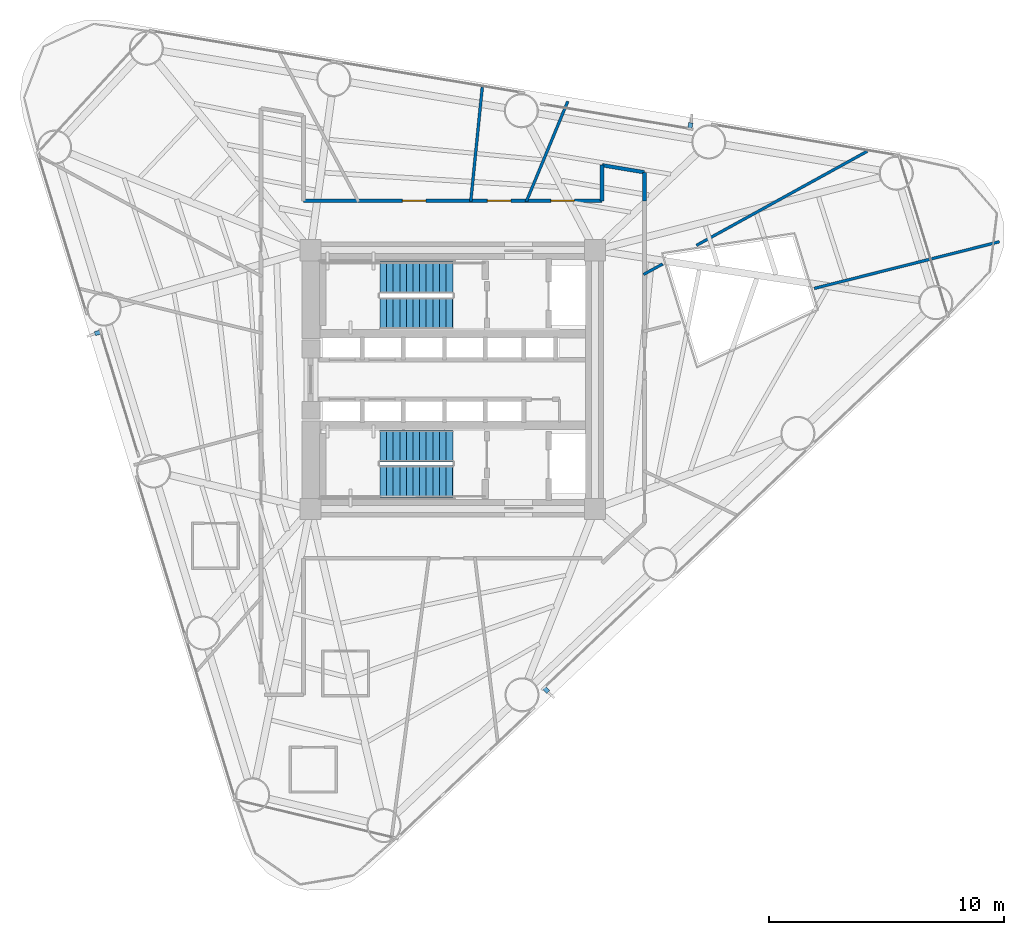
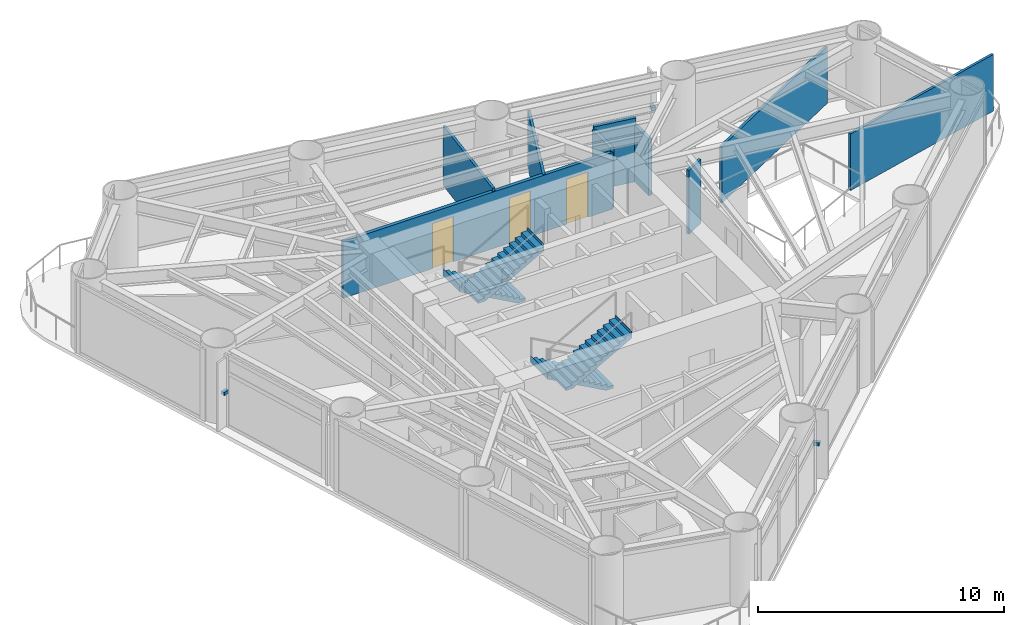
# One storey, part 7 of 10: 9 walls, 4 stair flights, 3 discrete accessories, 3 doors, 3 openings, 2 elements without a shape of their own.
"""IFC4 building model written with IfcOpenShell, lengths in metres."""

from ifc_helpers import new_model, si_unit, direction, frame, frame_2d, origin, origin_2d, place, context, subcontext, project, spatial, polyline, rectangle, outline, extrude, source, transform, mapped, material, layer, layer_set, type_object, element, fill, aggregate, save


model = new_model("IFC4")

# Units and contexts
model_context = context("Model", 3, precision=1e-05, world=origin(), true_north=direction((0.0, 1.0)))
body_context = subcontext(model_context, "Body", "Model", "MODEL_VIEW")
ifc_project = project(units=[si_unit("LENGTHUNIT", "METRE"), si_unit("AREAUNIT", "SQUARE_METRE"), si_unit("VOLUMEUNIT", "CUBIC_METRE"), si_unit("PLANEANGLEUNIT", "RADIAN"), si_unit("MASSUNIT", "GRAM", prefix="KILO")], contexts=[model_context])

# Site, building, storey
site_placement = place(None, origin())
site = spatial("IfcSite", under=ifc_project, at=site_placement, CompositionType="ELEMENT")
building_placement = place(site_placement, origin())
building = spatial("IfcBuilding", under=site, at=building_placement, Name="Yunling Apex Tower", CompositionType="ELEMENT")
storey_placement = place(building_placement, frame((0.0, 0.0, 116.14990234375)))
storey = spatial("IfcBuildingStorey", under=building, at=storey_placement, Name="L29", CompositionType="ELEMENT", Elevation=116.14990234375)

# Wall, openings, doors
ifc_material_1 = material(Name="Gypsum board acoustic partition")
ifc_layer_1 = layer(ifc_material_1, 0.159912109375)
ifc_layer_set_1 = layer_set([ifc_layer_1], Name="Gypsum board acoustic partition")
wall_type_1 = type_object("IfcWallType", Name="WL-PRT-1", PredefinedType="PARTITIONING", material=ifc_layer_set_1)
wall_1_placement = place(storey_placement, frame((-6.35009765625, 7.60009765625, 0.0), z_axis=(0.0, 0.0, 1.0), x_axis=(1.0, 0.0, 0.0)))
wall_1 = element("IfcWall", 1, at=wall_1_placement, inside=storey, type_object=wall_type_1, Name="WL-CORR-L29-07", PredefinedType="PARTITIONING", context=body_context, shape_type="SweptSolid", body=[
    extrude(rectangle(XDim=12.7001953125, YDim=0.159912109375, at=frame_2d((6.35009765625, 0.0))), origin(), (0.0, 0.0, 1.0), 2.815185546875),
])
opening_1_placement = place(wall_1_placement, frame((4.204833984375, 0.0, 0.0)))
opening_1 = element("IfcOpeningElement", 2, at=opening_1_placement, cuts=wall_1, Name="Opening DR-OFF-1", PredefinedType="OPENING", context=body_context, shape_type="SweptSolid", body=[
    extrude(rectangle(XDim=1.0, YDim=2.25, at=frame_2d((0.5, 1.125))), frame((0.0, 0.08984375, 0.0), z_axis=(0.0, -1.0, 0.0), x_axis=(1.0, 0.0, 0.0)), (0.0, 0.0, 1.0), 0.179931640625),
])
opening_2_placement = place(wall_1_placement, frame((7.8232421875, 0.0, 0.0)))
opening_2 = element("IfcOpeningElement", 3, at=opening_2_placement, cuts=wall_1, Name="Opening DR-OFF-1", PredefinedType="OPENING", context=body_context, shape_type="SweptSolid", body=[
    extrude(rectangle(XDim=1.0, YDim=2.25, at=frame_2d((0.5, 1.125))), frame((0.0, 0.08984375, 0.0), z_axis=(0.0, -1.0, 0.0), x_axis=(1.0, 0.0, 0.0)), (0.0, 0.0, 1.0), 0.179931640625),
])
opening_3_placement = place(wall_1_placement, frame((10.521728515625, 0.0, 0.0)))
opening_3 = element("IfcOpeningElement", 4, at=opening_3_placement, cuts=wall_1, Name="Opening DR-OFF-1", PredefinedType="OPENING", context=body_context, shape_type="SweptSolid", body=[
    extrude(rectangle(XDim=1.0, YDim=2.25, at=frame_2d((0.5, 1.125))), frame((0.0, 0.08984375, 0.0), z_axis=(0.0, -1.0, 0.0), x_axis=(1.0, 0.0, 0.0)), (0.0, 0.0, 1.0), 0.179931640625),
])
ifc_material_2 = material(Name="Bronze anodised aluminium", Category="aluminium")
door_type = type_object("IfcDoorType", Name="DR-OFF-1", OperationType="NOTDEFINED", PredefinedType="DOOR", material=ifc_material_2)
door_1_placement = place(opening_1_placement, origin())
door_1 = element("IfcDoor", 5, at=door_1_placement, inside=storey, type_object=door_type, Name="L29 Document Archive Store Door", OperationType="SINGLE_SWING_RIGHT", OverallHeight=2.25, OverallWidth=1.0, PredefinedType="DOOR", context=body_context, shape_type="SweptSolid", body=[
    extrude(rectangle(XDim=1.0, YDim=2.25, at=frame_2d((0.5, 1.125))), frame((0.0, 0.02490234375, 0.0), z_axis=(0.0, -1.0, 0.0), x_axis=(1.0, 0.0, 0.0)), (0.0, 0.0, 1.0), 0.050048828125),
])
fill(opening_1, door_1)
door_2_placement = place(opening_2_placement, origin())
door_2 = element("IfcDoor", 6, at=door_2_placement, inside=storey, type_object=door_type, Name="L29 Client Reception Foyer Door", OperationType="SINGLE_SWING_LEFT", OverallHeight=2.25, OverallWidth=1.0, PredefinedType="DOOR", context=body_context, shape_type="SweptSolid", body=[
    extrude(rectangle(XDim=1.0, YDim=2.25, at=frame_2d((0.5, 1.125))), frame((0.0, 0.02490234375, 0.0), z_axis=(0.0, -1.0, 0.0), x_axis=(1.0, 0.0, 0.0)), (0.0, 0.0, 1.0), 0.050048828125),
])
fill(opening_2, door_2)
door_3_placement = place(opening_3_placement, origin())
door_3 = element("IfcDoor", 7, at=door_3_placement, inside=storey, type_object=door_type, Name="L29 Staff Pantry Kitchen Door", OperationType="SINGLE_SWING_RIGHT", OverallHeight=2.25, OverallWidth=1.0, PredefinedType="DOOR", context=body_context, shape_type="SweptSolid", body=[
    extrude(rectangle(XDim=1.0, YDim=2.25, at=frame_2d((0.5, 1.125))), frame((0.0, 0.02490234375, 0.0), z_axis=(0.0, -1.0, 0.0), x_axis=(1.0, 0.0, 0.0)), (0.0, 0.0, 1.0), 0.050048828125),
])
fill(opening_3, door_3)

# Walls
wall_2_placement = place(storey_placement, frame((6.35009765625, 7.60009765625, 0.0), z_axis=(0.0, 0.0, 1.0), x_axis=(0.0, 1.0, 0.0)))
element("IfcWall", 8, at=wall_2_placement, inside=storey, type_object=wall_type_1, Name="WL-CORR-L29-08", PredefinedType="PARTITIONING", context=body_context, shape_type="SweptSolid", body=[
    extrude(rectangle(XDim=1.512939453125, YDim=0.159912109375, at=frame_2d((0.75634765625, 0.0))), origin(), (0.0, 0.0, 1.0), 3.01513671875),
])
wall_3_placement = place(storey_placement, frame((6.35009765625, 9.113037109375, 0.0), z_axis=(0.0, 0.0, 1.0), x_axis=(0.986386690349, -0.164442382317, 0.0)))
element("IfcWall", 9, at=wall_3_placement, inside=storey, type_object=wall_type_1, Name="WL-CORR-L29-09", PredefinedType="PARTITIONING", context=body_context, shape_type="SweptSolid", body=[
    extrude(rectangle(XDim=1.82470703125, YDim=0.159912109375, at=frame_2d((0.912353515625, 0.0))), origin(), (0.0, 0.0, 1.0), 3.1650390625),
])
wall_4_placement = place(storey_placement, frame((8.14990234375, 8.81298828125, 0.0), z_axis=(0.0, 0.0, 1.0), x_axis=(0.0, -1.0, 0.0)))
element("IfcWall", 10, at=wall_4_placement, inside=storey, type_object=wall_type_1, Name="WL-CORR-L29-10", PredefinedType="PARTITIONING", context=body_context, shape_type="SweptSolid", body=[
    extrude(rectangle(XDim=1.212890625, YDim=0.159912109375, at=frame_2d((0.6064453125, 0.0))), origin(), (0.0, 0.0, 1.0), 2.815185546875),
])
ifc_layer_2 = layer(ifc_material_1, 0.1201171875)
ifc_layer_set_2 = layer_set([ifc_layer_2], Name="Gypsum board acoustic partition")
wall_type_2 = type_object("IfcWallType", Name="WL-PRT-3", PredefinedType="PARTITIONING", material=ifc_layer_set_2)
wall_5_placement = place(storey_placement, frame((15.368408203125, 3.87548828125, 0.0), z_axis=(0.0, 0.0, 1.0), x_axis=(0.969639714565, 0.244537980563, 0.0)))
element("IfcWall", 11, at=wall_5_placement, inside=storey, type_object=wall_type_2, Name="WL-RAD-L29-07", PredefinedType="PARTITIONING", context=body_context, shape_type="SweptSolid", body=[
    extrude(rectangle(XDim=8.11669921875, YDim=0.1201171875, at=frame_2d((4.058349609375, 0.0))), origin(), (0.0, 0.0, 1.0), 2.815185546875),
])
wall_6_placement = place(storey_placement, frame((8.110107421875, 4.467041015625, 0.0), z_axis=(0.0, 0.0, 1.0), x_axis=(0.875876836962, 0.482534730847, 0.0)))
element("IfcWall", 12, at=wall_6_placement, inside=storey, type_object=wall_type_2, Name="WL-RAD-L29-08", PredefinedType="PARTITIONING", context=body_context, shape_type="SweptSolid", body=[
    extrude(rectangle(XDim=0.927978515625, YDim=0.1201171875, at=frame_2d((0.4638671875, 0.0))), origin(), (0.0, 0.0, 1.0), 3.175048828125),
])
wall_7_placement = place(storey_placement, frame((10.36181640625, 5.707275390625, 0.0), z_axis=(0.0, 0.0, 1.0), x_axis=(0.875911137712, 0.482472464326, 0.0)))
element("IfcWall", 13, at=wall_7_placement, inside=storey, type_object=wall_type_2, Name="WL-RAD-L29-09", PredefinedType="PARTITIONING", context=body_context, shape_type="SweptSolid", body=[
    extrude(rectangle(XDim=8.292236328125, YDim=0.1201171875, at=frame_2d((4.14599609375, 0.0))), origin(), (0.0, 0.0, 1.0), 2.815185546875),
])
wall_8_placement = place(storey_placement, frame((3.12548828125, 7.56005859375, 0.0), z_axis=(0.0, 0.0, 1.0), x_axis=(0.382088862778, 0.924125587212, 0.0)))
element("IfcWall", 14, at=wall_8_placement, inside=storey, type_object=wall_type_2, Name="WL-RAD-L29-10", PredefinedType="PARTITIONING", context=body_context, shape_type="SweptSolid", body=[
    extrude(rectangle(XDim=4.620361328125, YDim=0.1201171875, at=frame_2d((2.31005859375, 0.0))), origin(), (0.0, 0.0, 1.0), 2.815185546875),
])
wall_9_placement = place(storey_placement, frame((0.763916015625, 7.56005859375, 0.0), z_axis=(0.0, 0.0, 1.0), x_axis=(0.100495218626, 0.994937541272, 0.0)))
element("IfcWall", 15, at=wall_9_placement, inside=storey, type_object=wall_type_2, Name="WL-RAD-L29-11", PredefinedType="PARTITIONING", context=body_context, shape_type="SweptSolid", body=[
    extrude(rectangle(XDim=4.900146484375, YDim=0.1201171875, at=frame_2d((2.4501953125, 0.0))), origin(), (0.0, 0.0, 1.0), 2.97509765625),
])

# Stair, stair flights
ifc_material_3 = material(Name="Concrete C40", Category="concrete")
stair_type = type_object("IfcStairType", Name="ST-TWR-1", PredefinedType="HALF_TURN_STAIR", material=ifc_material_3)
stair_1_placement = place(storey_placement, origin())
stair_1 = element("IfcStair", 16, at=stair_1_placement, inside=storey, type_object=stair_type, Name="L29 North Core Smokeproof Exit Stair ST-1", PredefinedType="HALF_TURN_STAIR")
stair_flight_type = type_object("IfcStairFlightType", Name="SFL-TWR-1", PredefinedType="STRAIGHT", material=ifc_material_3)
stair_flight_1_placement = place(storey_placement, frame((-0.010009765625, 4.330078125, 0.0), z_axis=(0.0, 0.0, 1.0), x_axis=(-1.0, 0.0, 0.0)))
stair_flight_1 = element("IfcStairFlight", 17, at=stair_flight_1_placement, type_object=stair_flight_type, Name="ST-1 flight 1", NumberOfRisers=12, NumberOfTreads=11, PredefinedType="STRAIGHT", RiserHeight=0.15625, TreadLength=0.28, context=body_context, shape_type="SweptSolid", body=[
    extrude(outline(polyline([(-0.011962890625, 0.0), (-0.011962890625, 0.15625), (0.0, 0.15625), (0.280029296875, 0.15625), (0.280029296875, 0.3125), (0.56005859375, 0.3125), (0.56005859375, 0.46875), (0.840087890625, 0.46875), (0.840087890625, 0.625), (1.1201171875, 0.625), (1.1201171875, 0.78125), (1.39990234375, 0.78125), (1.39990234375, 0.9375), (1.679931640625, 0.9375), (1.679931640625, 1.09375), (1.9599609375, 1.09375), (1.9599609375, 1.25), (2.239990234375, 1.25), (2.239990234375, 1.40625), (2.52001953125, 1.40625), (2.52001953125, 1.5625), (2.800048828125, 1.5625), (2.800048828125, 1.71875), (3.080078125, 1.71875), (3.080078125, 1.875), (3.092041015625, 1.875), (3.092041015625, 1.53564453125), (0.328125, 0.0), (-0.011962890625, 0.0)])), frame((0.0, 0.68017578125, 0.0), z_axis=(0.0, -1.0, 0.0), x_axis=(1.0, 0.0, 0.0)), (0.0, 0.0, 1.0), 1.360107421875),
])
stair_flight_2_placement = place(storey_placement, frame((-3.090087890625, 2.820068359375, 1.875), z_axis=(0.0, 0.0, 1.0), x_axis=(1.0, 0.0, 0.0)))
stair_flight_2 = element("IfcStairFlight", 18, at=stair_flight_2_placement, type_object=stair_flight_type, Name="ST-1 flight 2", NumberOfRisers=12, NumberOfTreads=11, PredefinedType="STRAIGHT", RiserHeight=0.15625, TreadLength=0.28, context=body_context, shape_type="SweptSolid", body=[
    extrude(outline(polyline([(-0.011962890625, 0.0), (-0.011962890625, 0.15625), (0.0, 0.15625), (0.280029296875, 0.15625), (0.280029296875, 0.3125), (0.56005859375, 0.3125), (0.56005859375, 0.46875), (0.840087890625, 0.46875), (0.840087890625, 0.625), (1.1201171875, 0.625), (1.1201171875, 0.78125), (1.39990234375, 0.78125), (1.39990234375, 0.9375), (1.679931640625, 0.9375), (1.679931640625, 1.09375), (1.9599609375, 1.09375), (1.9599609375, 1.25), (2.239990234375, 1.25), (2.239990234375, 1.40625), (2.52001953125, 1.40625), (2.52001953125, 1.5625), (2.800048828125, 1.5625), (2.800048828125, 1.71875), (3.080078125, 1.71875), (3.080078125, 1.875), (3.092041015625, 1.875), (3.092041015625, 1.53564453125), (0.328125, 0.0), (-0.011962890625, 0.0)])), frame((0.0, 0.68017578125, 0.0), z_axis=(0.0, -1.0, 0.0), x_axis=(1.0, 0.0, 0.0)), (0.0, 0.0, 1.0), 1.360107421875),
])
aggregate(stair_1, [stair_flight_1, stair_flight_2])

stair_2_placement = place(storey_placement, origin())
stair_2 = element("IfcStair", 19, at=stair_2_placement, inside=storey, type_object=stair_type, Name="L29 South Core Smokeproof Exit Stair ST-2", PredefinedType="HALF_TURN_STAIR")
stair_flight_3_placement = place(storey_placement, frame((-0.010009765625, -2.820068359375, 0.0), z_axis=(0.0, 0.0, 1.0), x_axis=(-1.0, 0.0, 0.0)))
stair_flight_3 = element("IfcStairFlight", 20, at=stair_flight_3_placement, type_object=stair_flight_type, Name="ST-2 flight 1", NumberOfRisers=12, NumberOfTreads=11, PredefinedType="STRAIGHT", RiserHeight=0.15625, TreadLength=0.28, context=body_context, shape_type="SweptSolid", body=[
    extrude(outline(polyline([(-0.011962890625, 0.0), (-0.011962890625, 0.15625), (0.0, 0.15625), (0.280029296875, 0.15625), (0.280029296875, 0.3125), (0.56005859375, 0.3125), (0.56005859375, 0.46875), (0.840087890625, 0.46875), (0.840087890625, 0.625), (1.1201171875, 0.625), (1.1201171875, 0.78125), (1.39990234375, 0.78125), (1.39990234375, 0.9375), (1.679931640625, 0.9375), (1.679931640625, 1.09375), (1.9599609375, 1.09375), (1.9599609375, 1.25), (2.239990234375, 1.25), (2.239990234375, 1.40625), (2.52001953125, 1.40625), (2.52001953125, 1.5625), (2.800048828125, 1.5625), (2.800048828125, 1.71875), (3.080078125, 1.71875), (3.080078125, 1.875), (3.092041015625, 1.875), (3.092041015625, 1.53564453125), (0.328125, 0.0), (-0.011962890625, 0.0)])), frame((0.0, 0.68017578125, 0.0), z_axis=(0.0, -1.0, 0.0), x_axis=(1.0, 0.0, 0.0)), (0.0, 0.0, 1.0), 1.360107421875),
])
stair_flight_4_placement = place(storey_placement, frame((-3.090087890625, -4.330078125, 1.875), z_axis=(0.0, 0.0, 1.0), x_axis=(1.0, 0.0, 0.0)))
stair_flight_4 = element("IfcStairFlight", 21, at=stair_flight_4_placement, type_object=stair_flight_type, Name="ST-2 flight 2", NumberOfRisers=12, NumberOfTreads=11, PredefinedType="STRAIGHT", RiserHeight=0.15625, TreadLength=0.28, context=body_context, shape_type="SweptSolid", body=[
    extrude(outline(polyline([(-0.011962890625, 0.0), (-0.011962890625, 0.15625), (0.0, 0.15625), (0.280029296875, 0.15625), (0.280029296875, 0.3125), (0.56005859375, 0.3125), (0.56005859375, 0.46875), (0.840087890625, 0.46875), (0.840087890625, 0.625), (1.1201171875, 0.625), (1.1201171875, 0.78125), (1.39990234375, 0.78125), (1.39990234375, 0.9375), (1.679931640625, 0.9375), (1.679931640625, 1.09375), (1.9599609375, 1.09375), (1.9599609375, 1.25), (2.239990234375, 1.25), (2.239990234375, 1.40625), (2.52001953125, 1.40625), (2.52001953125, 1.5625), (2.800048828125, 1.5625), (2.800048828125, 1.71875), (3.080078125, 1.71875), (3.080078125, 1.875), (3.092041015625, 1.875), (3.092041015625, 1.53564453125), (0.328125, 0.0), (-0.011962890625, 0.0)])), frame((0.0, 0.68017578125, 0.0), z_axis=(0.0, -1.0, 0.0), x_axis=(1.0, 0.0, 0.0)), (0.0, 0.0, 1.0), 1.360107421875),
])
aggregate(stair_2, [stair_flight_3, stair_flight_4])

# Discrete accessories
ifc_material_4 = material(Name="Steel Q355B", Category="steel")
discrete_accessory_type = type_object("IfcDiscreteAccessoryType", Name="BK-FIN-1", PredefinedType="BRACKET", material=ifc_material_4)
shared_shape = source(origin(), body_context, "Body", "SweptSolid", [
    extrude(rectangle(XDim=0.179931640625, YDim=0.260009765625, at=origin_2d()), origin(), (0.0, 0.0, 1.0), 0.159912109375),
])
for number, where, z_axis, x_axis, name in (
    (22, (3.9658203125, -13.191162109375, 1.68505859375), (0.0, 0.0, 1.0), (0.725854756355, 0.687848001144, 0.0), "CW-L29-F1-B2-BRK-01-1"),
    (23, (10.10009765625, 10.789306640625, 1.68505859375), (0.0, 0.0, 1.0), (-0.986400586142, 0.164359008451, 0.0), "CW-L29-F2-B2-BRK-01-1"),
    (24, (-15.0888671875, 1.988037109375, 1.68505859375), (0.0, 0.0, 1.0), (0.292371704723, -0.956304755963, 0.0), "CW-L29-F3-B2-BRK-01-1"),
):
    element("IfcDiscreteAccessory", number, at=place(storey_placement, frame(where, z_axis=z_axis, x_axis=x_axis)), inside=storey, type_object=discrete_accessory_type, Name=name, PredefinedType="BRACKET", context=body_context, shape_type="MappedRepresentation", body=[
        mapped(shared_shape, transform((0.0, 0.0, 0.0), scale=1.0)),
    ])

save(model, "model.ifc")
